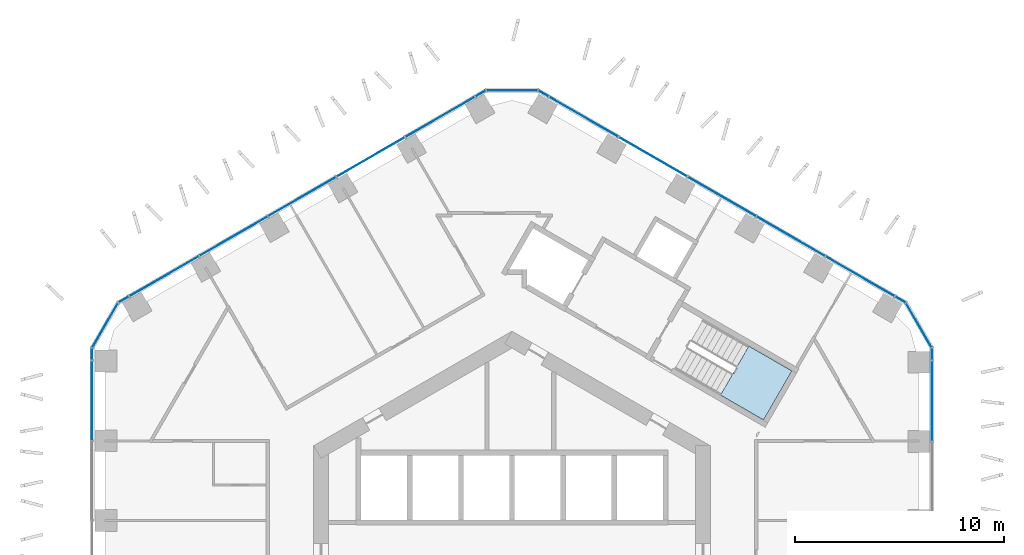
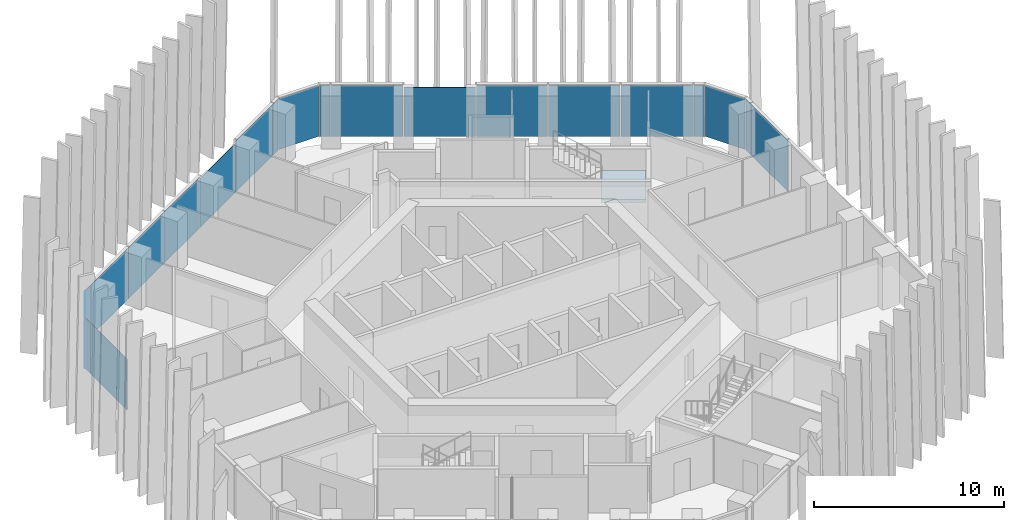
# One storey, part 11 of 18: 21 plates, 1 slab, 8 elements without a shape of their own.
"""IFC4 building model written with IfcOpenShell, lengths in metres."""

from ifc_helpers import new_model, si_unit, direction, frame, origin, origin_2d, place, context, subcontext, project, spatial, polyline, rectangle, outline, extrude, material, layer, layer_set, type_object, element, aggregate, save


model = new_model("IFC4")

# Units and contexts
model_context = context("Model", 3, precision=1e-05, world=origin(), true_north=direction((0.0, 1.0)))
body_context = subcontext(model_context, "Body", "Model", "MODEL_VIEW")
ifc_project = project(units=[si_unit("LENGTHUNIT", "METRE"), si_unit("AREAUNIT", "SQUARE_METRE"), si_unit("VOLUMEUNIT", "CUBIC_METRE"), si_unit("PLANEANGLEUNIT", "RADIAN"), si_unit("MASSUNIT", "GRAM", prefix="KILO")], contexts=[model_context])

# Site, building, storey
site_placement = place(None, origin())
site = spatial("IfcSite", under=ifc_project, at=site_placement, CompositionType="ELEMENT")
building_placement = place(site_placement, origin())
building = spatial("IfcBuilding", under=site, at=building_placement, Name="Ayvan Gate Tower", CompositionType="ELEMENT")
storey_placement = place(building_placement, frame((0.0, 0.0, 83.10009765625)))
storey = spatial("IfcBuildingStorey", under=building, at=storey_placement, Name="L21", CompositionType="ELEMENT", Elevation=83.10009765625)

# Stair, slab
ifc_material_1 = material(Name="Concrete C40/50", Category="concrete")
stair_type = type_object("IfcStairType", Name="ST-EXIT", PredefinedType="HALF_TURN_STAIR", material=ifc_material_1)
stair_placement = place(storey_placement, origin())
stair = element("IfcStair", 1, at=stair_placement, inside=storey, type_object=stair_type, Name="L21 Exit Stair S1", PredefinedType="HALF_TURN_STAIR")
ifc_layer_1 = layer(ifc_material_1, 0.199951171875)
ifc_layer_set_1 = layer_set([ifc_layer_1], Name="Concrete C40/50")
slab_type = type_object("IfcSlabType", Name="SL-LANDING-200", PredefinedType="LANDING", material=ifc_layer_set_1)
slab_placement = place(storey_placement, frame((0.0, 0.0, 1.5)))
slab = element("IfcSlab", 2, at=slab_placement, type_object=slab_type, Name="STS1 landing 1", PredefinedType="LANDING", context=body_context, shape_type="SweptSolid", body=[
    extrude(outline(polyline([(9.988525390625, 7.91064453125), (12.049560546875, 6.720458984375), (13.404541015625, 9.0673828125), (11.343505859375, 10.257568359375), (9.988525390625, 7.91064453125)])), origin(), (0.0, 0.0, 1.0), 0.199951171875),
])
aggregate(stair, [slab])

# Curtain wall, plates
ifc_material_2 = material(Name="Bronze anodised aluminium", Category="aluminium")
ifc_layer_2 = layer(ifc_material_2, 0.199951171875)
ifc_layer_set_2 = layer_set([ifc_layer_2], Name="Bronze anodised aluminium")
curtain_wall_type_1 = type_object("IfcCurtainWallType", Name="Stick curtain wall CW-1", PredefinedType="NOTDEFINED", material=ifc_layer_set_2)
curtain_wall_1_placement = place(storey_placement, origin())
curtain_wall_1 = element("IfcCurtainWall", 3, at=curtain_wall_1_placement, inside=storey, type_object=curtain_wall_type_1, Name="Stick curtain wall CW-1 L21", PredefinedType="NOTDEFINED")
ifc_material_3 = material(Name="Clear low-iron laminated glass", Category="glass")
ifc_layer_3 = layer(ifc_material_3, 0.028076171875)
ifc_layer_set_3 = layer_set([ifc_layer_3], Name="Clear low-iron laminated glass")
plate_type_1 = type_object("IfcPlateType", Name="Stick curtain wall CW-1 glass panel", PredefinedType="CURTAIN_PANEL", material=ifc_layer_set_3)
plate_1_placement = place(storey_placement, frame((-3.434326171875, 21.23876953125, 0.0), z_axis=(0.0, 0.0, 1.0), x_axis=(-0.866025403784, -0.5, 0.0)))
plate_1 = element("IfcPlate", 4, at=plate_1_placement, type_object=plate_type_1, Name="CW-1 glass panel 1", PredefinedType="CURTAIN_PANEL", context=body_context, shape_type="SweptSolid", body=[
    extrude(rectangle(XDim=3.85009765625, YDim=0.028076171875, at=origin_2d()), origin(), (0.0, 0.0, 1.0), 3.280029296875),
])
plate_2_placement = place(storey_placement, frame((-6.769775390625, 19.313232421875, 0.0), z_axis=(0.0, 0.0, 1.0), x_axis=(-0.866025403784, -0.5, 0.0)))
plate_2 = element("IfcPlate", 5, at=plate_2_placement, type_object=plate_type_1, Name="CW-1 glass panel 2", PredefinedType="CURTAIN_PANEL", context=body_context, shape_type="SweptSolid", body=[
    extrude(rectangle(XDim=3.73291015625, YDim=0.028076171875, at=origin_2d()), origin(), (0.0, 0.0, 1.0), 3.14990234375),
])
plate_3_placement = place(storey_placement, frame((-10.05517578125, 17.41650390625, 0.0), z_axis=(0.0, 0.0, 1.0), x_axis=(-0.866025403784, -0.5, 0.0)))
plate_3 = element("IfcPlate", 6, at=plate_3_placement, type_object=plate_type_1, Name="CW-1 glass panel 3", PredefinedType="CURTAIN_PANEL", context=body_context, shape_type="SweptSolid", body=[
    extrude(rectangle(XDim=3.73388671875, YDim=0.028076171875, at=origin_2d()), origin(), (0.0, 0.0, 1.0), 3.280029296875),
])
plate_4_placement = place(storey_placement, frame((-13.34033203125, 15.51953125, 0.0), z_axis=(0.0, 0.0, 1.0), x_axis=(-0.866025403784, -0.5, 0.0)))
plate_4 = element("IfcPlate", 7, at=plate_4_placement, type_object=plate_type_1, Name="CW-1 glass panel 4", PredefinedType="CURTAIN_PANEL", context=body_context, shape_type="SweptSolid", body=[
    extrude(rectangle(XDim=3.73291015625, YDim=0.028076171875, at=origin_2d()), origin(), (0.0, 0.0, 1.0), 3.280029296875),
])
plate_5_placement = place(storey_placement, frame((-16.676025390625, 13.59375, 0.0), z_axis=(0.0, 0.0, 1.0), x_axis=(-0.866025403784, -0.5, 0.0)))
plate_5 = element("IfcPlate", 8, at=plate_5_placement, type_object=plate_type_1, Name="CW-1 glass panel 5", PredefinedType="CURTAIN_PANEL", context=body_context, shape_type="SweptSolid", body=[
    extrude(rectangle(XDim=3.8505859375, YDim=0.028076171875, at=origin_2d()), origin(), (0.0, 0.0, 1.0), 3.280029296875),
])
aggregate(curtain_wall_1, [plate_1, plate_2, plate_3, plate_4, plate_5])

# Curtain wall, plate
curtain_wall_2_placement = place(storey_placement, origin())
curtain_wall_2 = element("IfcCurtainWall", 9, at=curtain_wall_2_placement, inside=storey, type_object=curtain_wall_type_1, Name="Stick curtain wall CW-1 L21", PredefinedType="NOTDEFINED")
plate_6_placement = place(storey_placement, frame((-20.110595703125, 7.66064453125, 0.0), z_axis=(0.0, 0.0, 1.0), x_axis=(0.0, -1.0, 0.0)))
plate_6 = element("IfcPlate", 10, at=plate_6_placement, type_object=plate_type_1, Name="CW-1 glass panel 1", PredefinedType="CURTAIN_PANEL", context=body_context, shape_type="SweptSolid", body=[
    extrude(rectangle(XDim=3.819091796875, YDim=0.028076171875, at=origin_2d()), origin(), (0.0, 0.0, 1.0), 3.280029296875),
])
aggregate(curtain_wall_2, [plate_6])

curtain_wall_3_placement = place(storey_placement, origin())
curtain_wall_3 = element("IfcCurtainWall", 11, at=curtain_wall_3_placement, inside=storey, type_object=curtain_wall_type_1, Name="Stick curtain wall CW-1 L21", PredefinedType="NOTDEFINED")
plate_7_placement = place(storey_placement, frame((20.110595703125, 7.64501953125, 0.0), z_axis=(0.0, 0.0, 1.0), x_axis=(0.0, 1.0, 0.0)))
plate_7 = element("IfcPlate", 12, at=plate_7_placement, type_object=plate_type_1, Name="CW-1 glass panel 5", PredefinedType="CURTAIN_PANEL", context=body_context, shape_type="SweptSolid", body=[
    extrude(rectangle(XDim=3.8505859375, YDim=0.028076171875, at=origin_2d()), origin(), (0.0, 0.0, 1.0), 3.280029296875),
])
aggregate(curtain_wall_3, [plate_7])

# Curtain wall, plates
curtain_wall_4_placement = place(storey_placement, origin())
curtain_wall_4 = element("IfcCurtainWall", 13, at=curtain_wall_4_placement, inside=storey, type_object=curtain_wall_type_1, Name="Stick curtain wall CW-1 L21", PredefinedType="NOTDEFINED")
plate_8_placement = place(storey_placement, frame((16.689697265625, 13.5859375, 0.0), z_axis=(0.0, 0.0, 1.0), x_axis=(-0.866025403784, 0.5, 0.0)))
plate_8 = element("IfcPlate", 14, at=plate_8_placement, type_object=plate_type_1, Name="CW-1 glass panel 1", PredefinedType="CURTAIN_PANEL", context=body_context, shape_type="SweptSolid", body=[
    extrude(rectangle(XDim=3.819091796875, YDim=0.028076171875, at=origin_2d()), origin(), (0.0, 0.0, 1.0), 3.280029296875),
])
plate_9_placement = place(storey_placement, frame((13.3583984375, 15.509033203125, 0.0), z_axis=(0.0, 0.0, 1.0), x_axis=(-0.866025403784, 0.5, 0.0)))
plate_9 = element("IfcPlate", 15, at=plate_9_placement, type_object=plate_type_1, Name="CW-1 glass panel 2", PredefinedType="CURTAIN_PANEL", context=body_context, shape_type="SweptSolid", body=[
    extrude(rectangle(XDim=3.75390625, YDim=0.028076171875, at=origin_2d()), origin(), (0.0, 0.0, 1.0), 3.280029296875),
])
plate_10_placement = place(storey_placement, frame((10.055419921875, 17.416259765625, 0.0), z_axis=(0.0, 0.0, 1.0), x_axis=(-0.866025403784, 0.5, 0.0)))
plate_10 = element("IfcPlate", 16, at=plate_10_placement, type_object=plate_type_1, Name="CW-1 glass panel 3", PredefinedType="CURTAIN_PANEL", context=body_context, shape_type="SweptSolid", body=[
    extrude(rectangle(XDim=3.75390625, YDim=0.028076171875, at=origin_2d()), origin(), (0.0, 0.0, 1.0), 3.280029296875),
])
plate_11_placement = place(storey_placement, frame((6.75244140625, 19.3232421875, 0.0), z_axis=(0.0, 0.0, 1.0), x_axis=(-0.866025403784, 0.5, 0.0)))
plate_11 = element("IfcPlate", 17, at=plate_11_placement, type_object=plate_type_1, Name="CW-1 glass panel 4", PredefinedType="CURTAIN_PANEL", context=body_context, shape_type="SweptSolid", body=[
    extrude(rectangle(XDim=3.75390625, YDim=0.028076171875, at=origin_2d()), origin(), (0.0, 0.0, 1.0), 3.14990234375),
])
plate_12_placement = place(storey_placement, frame((3.421142578125, 21.24658203125, 0.0), z_axis=(0.0, 0.0, 1.0), x_axis=(-0.866025403784, 0.5, 0.0)))
plate_12 = element("IfcPlate", 18, at=plate_12_placement, type_object=plate_type_1, Name="CW-1 glass panel 5", PredefinedType="CURTAIN_PANEL", context=body_context, shape_type="SweptSolid", body=[
    extrude(rectangle(XDim=3.819580078125, YDim=0.028076171875, at=origin_2d()), origin(), (0.0, 0.0, 1.0), 3.280029296875),
])
aggregate(curtain_wall_4, [plate_8, plate_9, plate_10, plate_11, plate_12])

ifc_layer_4 = layer(ifc_material_2, 0.199951171875)
ifc_layer_set_4 = layer_set([ifc_layer_4], Name="Bronze anodised aluminium")
curtain_wall_type_2 = type_object("IfcCurtainWallType", Name="Stick curtain wall CW-6", PredefinedType="NOTDEFINED", material=ifc_layer_set_4)
curtain_wall_5_placement = place(storey_placement, origin())
curtain_wall_5 = element("IfcCurtainWall", 19, at=curtain_wall_5_placement, inside=storey, type_object=curtain_wall_type_2, Name="Stick curtain wall CW-6 L21", PredefinedType="NOTDEFINED")
ifc_layer_5 = layer(ifc_material_3, 0.028076171875)
ifc_layer_set_5 = layer_set([ifc_layer_5], Name="Clear low-iron laminated glass")
plate_type_2 = type_object("IfcPlateType", Name="Stick curtain wall CW-6 glass panel", PredefinedType="CURTAIN_PANEL", material=ifc_layer_set_5)
plate_13_placement = place(storey_placement, frame((-18.607421875, 12.478759765625, 0.0), z_axis=(0.0, 0.0, 1.0), x_axis=(-0.866025403784, -0.5, 0.0)))
plate_13 = element("IfcPlate", 20, at=plate_13_placement, type_object=plate_type_2, Name="CW-6 glass panel 1", PredefinedType="CURTAIN_PANEL", context=body_context, shape_type="SweptSolid", body=[
    extrude(rectangle(XDim=0.550048828125, YDim=0.028076171875, at=origin_2d()), origin(), (0.0, 0.0, 1.0), 3.280029296875),
])
plate_14_placement = place(storey_placement, frame((-19.489013671875, 11.251953125, 0.0), z_axis=(0.0, 0.0, 1.0), x_axis=(-0.5, -0.866025403784, 0.0)))
plate_14 = element("IfcPlate", 21, at=plate_14_placement, type_object=plate_type_2, Name="CW-6 glass panel 2", PredefinedType="CURTAIN_PANEL", context=body_context, shape_type="SweptSolid", body=[
    extrude(rectangle(XDim=2.4365234375, YDim=0.028076171875, at=origin_2d()), origin(), (0.0, 0.0, 1.0), 3.280029296875),
])
plate_15_placement = place(storey_placement, frame((-20.110595703125, 9.875244140625, 0.0), z_axis=(0.0, 0.0, 1.0), x_axis=(0.0, -1.0, 0.0)))
plate_15 = element("IfcPlate", 22, at=plate_15_placement, type_object=plate_type_2, Name="CW-6 glass panel 3", PredefinedType="CURTAIN_PANEL", context=body_context, shape_type="SweptSolid", body=[
    extrude(rectangle(XDim=0.550048828125, YDim=0.028076171875, at=origin_2d()), origin(), (0.0, 0.0, 1.0), 3.280029296875),
])
aggregate(curtain_wall_5, [plate_13, plate_14, plate_15])

curtain_wall_6_placement = place(storey_placement, origin())
curtain_wall_6 = element("IfcCurtainWall", 23, at=curtain_wall_6_placement, inside=storey, type_object=curtain_wall_type_2, Name="Stick curtain wall CW-6 L21", PredefinedType="NOTDEFINED")
plate_16_placement = place(storey_placement, frame((20.110595703125, 9.875244140625, 0.0), z_axis=(0.0, 0.0, 1.0), x_axis=(0.0, 1.0, 0.0)))
plate_16 = element("IfcPlate", 24, at=plate_16_placement, type_object=plate_type_2, Name="CW-6 glass panel 1", PredefinedType="CURTAIN_PANEL", context=body_context, shape_type="SweptSolid", body=[
    extrude(rectangle(XDim=0.550048828125, YDim=0.028076171875, at=origin_2d()), origin(), (0.0, 0.0, 1.0), 3.280029296875),
])
plate_17_placement = place(storey_placement, frame((19.489013671875, 11.251953125, 0.0), z_axis=(0.0, 0.0, 1.0), x_axis=(-0.5, 0.866025403784, 0.0)))
plate_17 = element("IfcPlate", 25, at=plate_17_placement, type_object=plate_type_2, Name="CW-6 glass panel 2", PredefinedType="CURTAIN_PANEL", context=body_context, shape_type="SweptSolid", body=[
    extrude(rectangle(XDim=2.4365234375, YDim=0.028076171875, at=origin_2d()), origin(), (0.0, 0.0, 1.0), 3.280029296875),
])
plate_18_placement = place(storey_placement, frame((18.607421875, 12.478759765625, 0.0), z_axis=(0.0, 0.0, 1.0), x_axis=(-0.866025403784, 0.5, 0.0)))
plate_18 = element("IfcPlate", 26, at=plate_18_placement, type_object=plate_type_2, Name="CW-6 glass panel 3", PredefinedType="CURTAIN_PANEL", context=body_context, shape_type="SweptSolid", body=[
    extrude(rectangle(XDim=0.550048828125, YDim=0.028076171875, at=origin_2d()), origin(), (0.0, 0.0, 1.0), 3.280029296875),
])
aggregate(curtain_wall_6, [plate_16, plate_17, plate_18])

curtain_wall_7_placement = place(storey_placement, origin())
curtain_wall_7 = element("IfcCurtainWall", 27, at=curtain_wall_7_placement, inside=storey, type_object=curtain_wall_type_2, Name="Stick curtain wall CW-6 L21", PredefinedType="NOTDEFINED")
plate_19_placement = place(storey_placement, frame((1.503173828125, 22.35400390625, 0.0), z_axis=(0.0, 0.0, 1.0), x_axis=(-0.866025403784, 0.5, 0.0)))
plate_19 = element("IfcPlate", 28, at=plate_19_placement, type_object=plate_type_2, Name="CW-6 glass panel 1", PredefinedType="CURTAIN_PANEL", context=body_context, shape_type="SweptSolid", body=[
    extrude(rectangle(XDim=0.550048828125, YDim=0.028076171875, at=origin_2d()), origin(), (0.0, 0.0, 1.0), 3.280029296875),
])
plate_20_placement = place(storey_placement, frame((0.0, 22.50390625, 0.0), z_axis=(0.0, 0.0, 1.0), x_axis=(-1.0, 0.0, 0.0)))
plate_20 = element("IfcPlate", 29, at=plate_20_placement, type_object=plate_type_2, Name="CW-6 glass panel 2", PredefinedType="CURTAIN_PANEL", context=body_context, shape_type="SweptSolid", body=[
    extrude(rectangle(XDim=2.4365234375, YDim=0.028076171875, at=origin_2d()), origin(), (0.0, 0.0, 1.0), 3.280029296875),
])
plate_21_placement = place(storey_placement, frame((-1.503173828125, 22.35400390625, 0.0), z_axis=(0.0, 0.0, 1.0), x_axis=(-0.866025403784, -0.5, 0.0)))
plate_21 = element("IfcPlate", 30, at=plate_21_placement, type_object=plate_type_2, Name="CW-6 glass panel 3", PredefinedType="CURTAIN_PANEL", context=body_context, shape_type="SweptSolid", body=[
    extrude(rectangle(XDim=0.550048828125, YDim=0.028076171875, at=origin_2d()), origin(), (0.0, 0.0, 1.0), 3.280029296875),
])
aggregate(curtain_wall_7, [plate_19, plate_20, plate_21])

save(model, "model.ifc")
